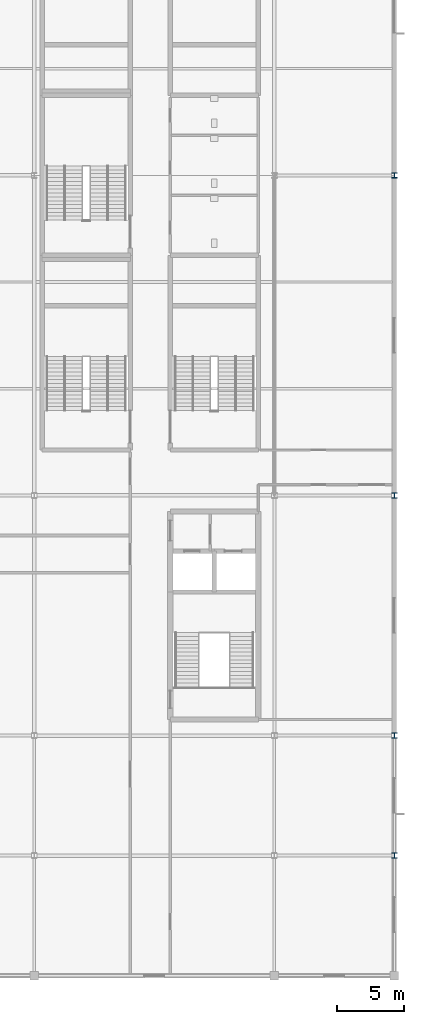
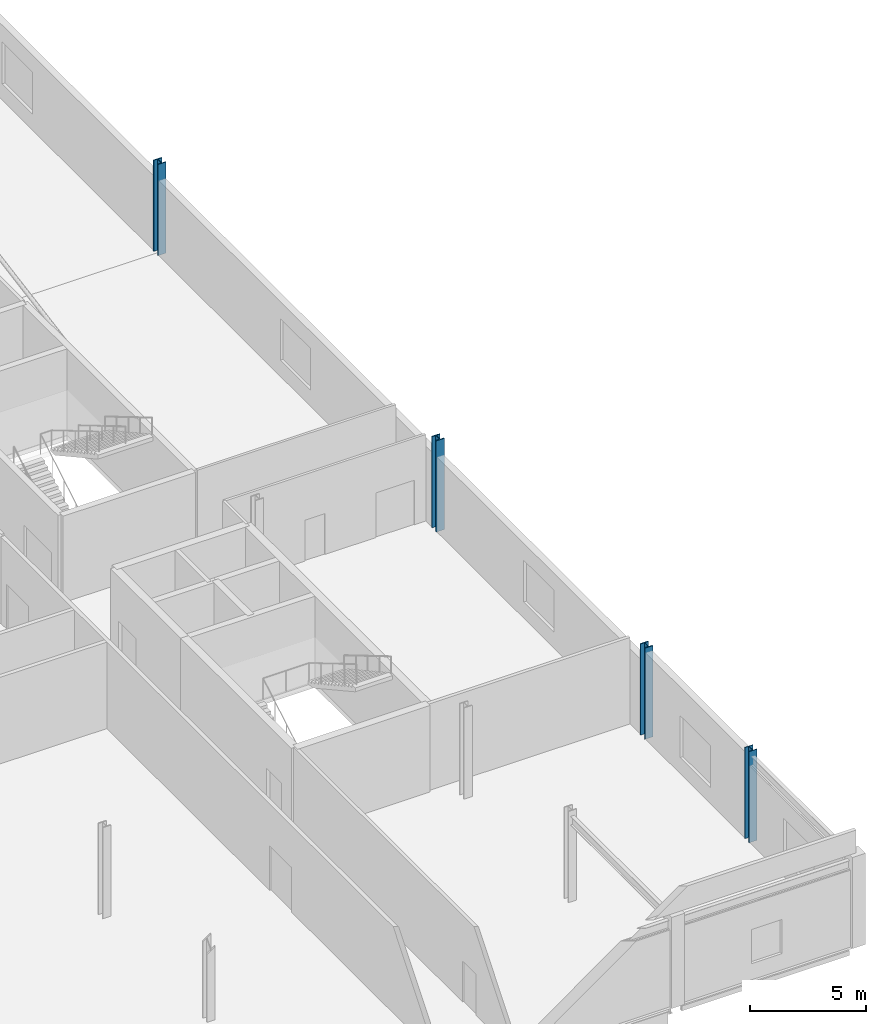
# One storey, part 9 of 136: 4 columns.
"""IFC4 building model written with IfcOpenShell, lengths in metres."""

from ifc_helpers import new_model, si_unit, direction, frame, origin, origin_2d, place, context, subcontext, project, spatial, i_section, extrude, material, material_profile, profile_set, type_object, element, save


model = new_model("IFC4")

# Units and contexts
model_context = context("Model", 3, precision=1e-05, world=origin(), true_north=direction((0.0, 1.0)))
body_context = subcontext(model_context, "Body", "Model", "MODEL_VIEW")
ifc_project = project(units=[si_unit("LENGTHUNIT", "METRE"), si_unit("AREAUNIT", "SQUARE_METRE"), si_unit("VOLUMEUNIT", "CUBIC_METRE"), si_unit("PLANEANGLEUNIT", "RADIAN"), si_unit("MASSUNIT", "GRAM", prefix="KILO")], contexts=[model_context])

# Site, building, storey
site_placement = place(None, origin())
site = spatial("IfcSite", under=ifc_project, at=site_placement, CompositionType="ELEMENT")
building_placement = place(site_placement, origin())
building = spatial("IfcBuilding", under=site, at=building_placement, Name="Kisiwana Market Hall", CompositionType="ELEMENT")
storey_placement = place(building_placement, frame((0.0, 0.0, 16.800048828125)))
storey = spatial("IfcBuildingStorey", under=building, at=storey_placement, Name="L03", CompositionType="ELEMENT", Elevation=16.800048828125)

# Columns
ifc_material_1 = material(Name="Steel S355", Category="steel")
ifc_material_profile_1 = material_profile(ifc_material_1, i_section(OverallWidth=0.406005859375, OverallDepth=0.416015625, WebThickness=0.02978515625, FlangeThickness=0.048095703125, at=origin_2d()), Name="HD 400x382")
ifc_profile_set_1 = profile_set([ifc_material_profile_1], Name="Steel S355")
column_type_1 = type_object("IfcColumnType", Name="COL-STL-HD382", PredefinedType="COLUMN", material=ifc_profile_set_1)
for number, where, z_axis, x_axis, name in (
    (1, (198.0, 18.0, 0.0), (0.0, 0.0, 1.0), (1.0, 0.0, 0.0), "Column C/23 (L03) C-0777"),
    (2, (198.0, 36.0, 0.0), (0.0, 0.0, 1.0), (1.0, 0.0, 0.0), "Column E/23 (L03) C-0778"),
    (3, (198.0, 60.0, 0.0), (0.0, 0.0, 1.0), (1.0, 0.0, 0.0), "Column H/23 (L03) C-0779"),
):
    element("IfcColumn", number, at=place(storey_placement, frame(where, z_axis=z_axis, x_axis=x_axis)), inside=storey, type_object=column_type_1, Name=name, PredefinedType="COLUMN", context=body_context, shape_type="SweptSolid", body=[
        extrude(i_section(OverallWidth=0.406005859375, OverallDepth=0.416015625, WebThickness=0.02978515625, FlangeThickness=0.048095703125, at=origin_2d()), origin(), (0.0, 0.0, 1.0), 4.800048828125),
    ])
ifc_material_2 = material(Name="Steel S355", Category="steel")
ifc_material_profile_2 = material_profile(ifc_material_2, i_section(OverallWidth=0.39892578125, OverallDepth=0.3935546875, WebThickness=0.022705078125, FlangeThickness=0.03662109375, at=origin_2d()), Name="UC 356x406x287")
ifc_profile_set_2 = profile_set([ifc_material_profile_2], Name="Steel S355")
column_type_2 = type_object("IfcColumnType", Name="COL-STL-UC287", PredefinedType="COLUMN", material=ifc_profile_set_2)
column_placement = place(storey_placement, frame((198.0, 9.0, 0.0), z_axis=(0.0, 0.0, 1.0), x_axis=(1.0, 0.0, 0.0)))
element("IfcColumn", 4, at=column_placement, inside=storey, type_object=column_type_2, Name="Column B/23 (L03) C-0776", PredefinedType="COLUMN", context=body_context, shape_type="SweptSolid", body=[
    extrude(i_section(OverallWidth=0.39892578125, OverallDepth=0.3935546875, WebThickness=0.022705078125, FlangeThickness=0.03662109375, at=origin_2d()), origin(), (0.0, 0.0, 1.0), 4.800048828125),
])

save(model, "model.ifc")
